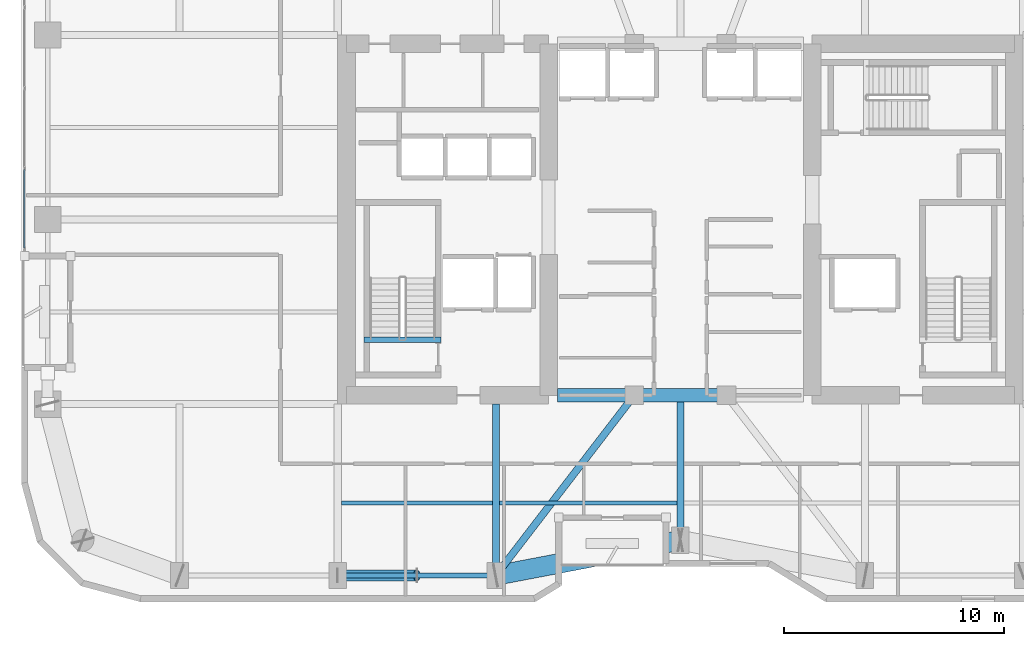
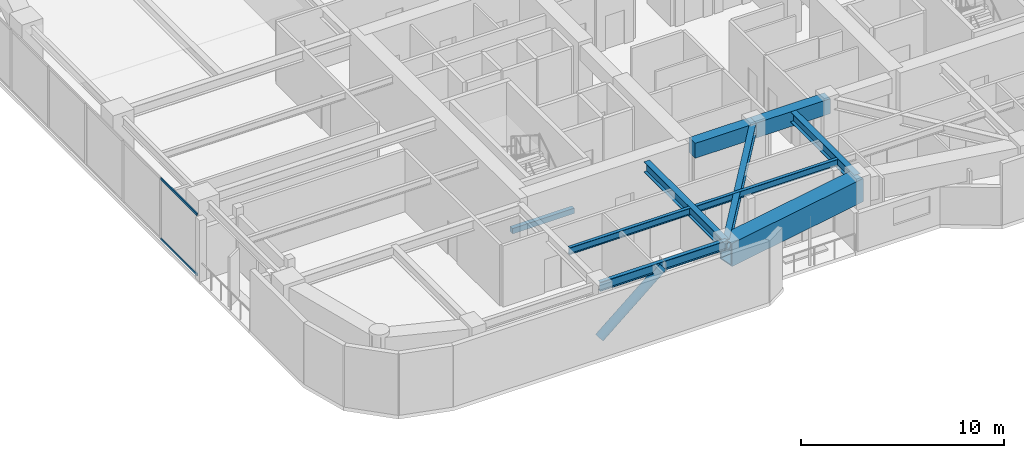
# One storey, part 3 of 30: 10 beams, 3 members, 1 element without a shape of its own.
"""IFC4 building model written with IfcOpenShell, lengths in metres."""

from ifc_helpers import new_model, si_unit, direction, frame, origin, origin_2d, place, context, subcontext, project, spatial, rectangle, hollow_rectangle, hollow_circle, i_section, extrude, material, layer, layer_set, material_profile, profile_set, type_object, element, aggregate, save


model = new_model("IFC4")

# Units and contexts
model_context = context("Model", 3, precision=1e-05, world=origin(), true_north=direction((0.0, 1.0)))
body_context = subcontext(model_context, "Body", "Model", "MODEL_VIEW")
ifc_project = project(units=[si_unit("LENGTHUNIT", "METRE"), si_unit("AREAUNIT", "SQUARE_METRE"), si_unit("VOLUMEUNIT", "CUBIC_METRE"), si_unit("PLANEANGLEUNIT", "RADIAN"), si_unit("MASSUNIT", "GRAM", prefix="KILO")], contexts=[model_context])

# Site, building, storey
site_placement = place(None, origin())
site = spatial("IfcSite", under=ifc_project, at=site_placement, CompositionType="ELEMENT")
building_placement = place(site_placement, origin())
building = spatial("IfcBuilding", under=site, at=building_placement, Name="Kiyonajd Concourse Tower", CompositionType="ELEMENT")
storey_placement = place(building_placement, frame((0.0, 0.0, 170.10009765625)))
storey = spatial("IfcBuildingStorey", under=building, at=storey_placement, Name="L43", CompositionType="ELEMENT", Elevation=170.10009765625)

# Beams
ifc_material_1 = material(Name="Concrete C60/75", Category="concrete")
ifc_material_profile_1 = material_profile(ifc_material_1, rectangle(XDim=0.60009765625, YDim=0.89990234375, at=origin_2d()), Name="RCBM-600x900")
ifc_profile_set_1 = profile_set([ifc_material_profile_1], Name="Concrete C60/75")
beam_type_1 = type_object("IfcBeamType", Name="BM-COUP-900", PredefinedType="LINTEL", material=ifc_profile_set_1)
beam_1_placement = place(storey_placement, frame((42.39990234375, 28.0, 3.22998046875), z_axis=(1.0, 0.0, 0.0), x_axis=(0.0, 1.0, 0.0)))
element("IfcBeam", 1, at=beam_1_placement, inside=storey, type_object=beam_type_1, Name="L43 Core Coupling Beam S1", PredefinedType="LINTEL", context=body_context, shape_type="SweptSolid", body=[
    extrude(rectangle(XDim=0.60009765625, YDim=0.89990234375, at=origin_2d()), origin(), (0.0, 0.0, 1.0), 3.5),
])
beam_2_placement = place(storey_placement, frame((45.89990234375, 28.0, 3.22998046875), z_axis=(1.0, 0.0, 0.0), x_axis=(0.0, 1.0, 0.0)))
element("IfcBeam", 2, at=beam_2_placement, inside=storey, type_object=beam_type_1, Name="L43 Core Coupling Beam S2", PredefinedType="LINTEL", context=body_context, shape_type="SweptSolid", body=[
    extrude(rectangle(XDim=0.60009765625, YDim=0.89990234375, at=origin_2d()), origin(), (0.0, 0.0, 1.0), 4.2001953125),
])
ifc_material_2 = material(Name="Steel ASTM A992 Grade 50", Category="steel")
ifc_material_profile_2 = material_profile(ifc_material_2, i_section(OverallWidth=0.180908203125, OverallDepth=0.4169921875, WebThickness=0.010986328125, FlangeThickness=0.018310546875, at=origin_2d()), Name="W410X85")
ifc_profile_set_2 = profile_set([ifc_material_profile_2], Name="Steel ASTM A992 Grade 50")
beam_type_2 = type_object("IfcBeamType", Name="BM-JST-410", PredefinedType="JOIST", material=ifc_profile_set_2)
beam_3_placement = place(storey_placement, frame((32.5634765625, 23.10009765625, 3.471435546875), z_axis=(1.0, 0.0, 0.0), x_axis=(0.0, 1.0, 0.0)))
element("IfcBeam", 3, at=beam_3_placement, inside=storey, type_object=beam_type_2, Name="L43 Secondary Floor Joist", PredefinedType="JOIST", context=body_context, shape_type="SweptSolid", body=[
    extrude(i_section(OverallWidth=0.180908203125, OverallDepth=0.4169921875, WebThickness=0.010986328125, FlangeThickness=0.018310546875, at=origin_2d()), origin(), (0.0, 0.0, 1.0), 6.873046875),
])
beam_4_placement = place(storey_placement, frame((39.763427734375, 23.10009765625, 3.471435546875), z_axis=(1.0, 0.0, 0.0), x_axis=(0.0, 1.0, 0.0)))
element("IfcBeam", 4, at=beam_4_placement, inside=storey, type_object=beam_type_2, Name="L43 Secondary Floor Joist", PredefinedType="JOIST", context=body_context, shape_type="SweptSolid", body=[
    extrude(i_section(OverallWidth=0.180908203125, OverallDepth=0.4169921875, WebThickness=0.010986328125, FlangeThickness=0.018310546875, at=origin_2d()), origin(), (0.0, 0.0, 1.0), 8.072998046875),
])
ifc_material_3 = material(Name="Concrete C50/60", Category="concrete")
ifc_material_profile_3 = material_profile(ifc_material_3, rectangle(XDim=0.239990234375, YDim=0.320068359375, at=origin_2d()), Name="RCBM-240x320")
ifc_profile_set_3 = profile_set([ifc_material_profile_3], Name="Concrete C50/60")
beam_type_3 = type_object("IfcBeamType", Name="BM-LNT-250", PredefinedType="LINTEL", material=ifc_profile_set_3)
beam_5_placement = place(storey_placement, frame((33.590087890625, 30.530029296875, -0.16015625), z_axis=(1.0, 0.0, 0.0), x_axis=(0.0, 1.0, 0.0)))
element("IfcBeam", 5, at=beam_5_placement, inside=storey, type_object=beam_type_3, Name="L43 Stair ST1 Threshold Support Beam", PredefinedType="LINTEL", context=body_context, shape_type="SweptSolid", body=[
    extrude(rectangle(XDim=0.239990234375, YDim=0.320068359375, at=origin_2d()), origin(), (0.0, 0.0, 1.0), 3.52001953125),
])
ifc_material_profile_4 = material_profile(ifc_material_2, i_section(OverallWidth=0.214111328125, OverallDepth=0.549072265625, WebThickness=0.0146484375, FlangeThickness=0.023681640625, at=origin_2d()), Name="W530X138")
ifc_profile_set_4 = profile_set([ifc_material_profile_4], Name="Steel ASTM A992 Grade 50")
beam_type_4 = type_object("IfcBeamType", Name="BM-SPAN-530A", PredefinedType="SPANDREL", material=ifc_profile_set_4)
beam_6_placement = place(storey_placement, frame((32.39990234375, 19.800048828125, 3.405517578125), z_axis=(1.0, 0.0, 0.0), x_axis=(0.0, 1.0, 0.0)))
element("IfcBeam", 6, at=beam_6_placement, inside=storey, type_object=beam_type_4, Name="L43 Perimeter Bundled Tube Spandrel", PredefinedType="SPANDREL", context=body_context, shape_type="SweptSolid", body=[
    extrude(i_section(OverallWidth=0.214111328125, OverallDepth=0.549072265625, WebThickness=0.0146484375, FlangeThickness=0.023681640625, at=origin_2d()), origin(), (0.0, 0.0, 1.0), 7.2001953125),
])
ifc_material_profile_5 = material_profile(ifc_material_2, i_section(OverallWidth=0.326904296875, OverallDepth=0.6220703125, WebThickness=0.015380859375, FlangeThickness=0.0244140625, at=origin_2d()), Name="W610X195")
ifc_profile_set_5 = profile_set([ifc_material_profile_5], Name="Steel ASTM A992 Grade 50")
beam_type_5 = type_object("IfcBeamType", Name="BM-TWR-610A", PredefinedType="BEAM", material=ifc_profile_set_5)
beam_7_placement = place(storey_placement, frame((39.60009765625, 19.800048828125, 3.368896484375), z_axis=(0.609233709922, 0.792990722956, 0.0), x_axis=(-0.792990722956, 0.609233709922, 0.0)))
element("IfcBeam", 7, at=beam_7_placement, inside=storey, type_object=beam_type_5, Name="L43 Core Tie Girder", PredefinedType="BEAM", context=body_context, shape_type="SweptSolid", body=[
    extrude(i_section(OverallWidth=0.326904296875, OverallDepth=0.6220703125, WebThickness=0.015380859375, FlangeThickness=0.0244140625, at=origin_2d()), origin(), (0.0, 0.0, 1.0), 10.340576171875),
])
beam_8_placement = place(storey_placement, frame((39.60009765625, 19.800048828125, 3.368896484375), z_axis=(0.0, 1.0, 0.0), x_axis=(-1.0, 0.0, 0.0)))
element("IfcBeam", 8, at=beam_8_placement, inside=storey, type_object=beam_type_5, Name="L43 South Lease Girder", PredefinedType="BEAM", context=body_context, shape_type="SweptSolid", body=[
    extrude(i_section(OverallWidth=0.326904296875, OverallDepth=0.6220703125, WebThickness=0.015380859375, FlangeThickness=0.0244140625, at=origin_2d()), origin(), (0.0, 0.0, 1.0), 7.800048828125),
])
beam_9_placement = place(storey_placement, frame((48.0, 21.39990234375, 3.368896484375), z_axis=(0.0, 1.0, 0.0), x_axis=(-1.0, 0.0, 0.0)))
element("IfcBeam", 9, at=beam_9_placement, inside=storey, type_object=beam_type_5, Name="L43 South Ribbon Girder", PredefinedType="BEAM", context=body_context, shape_type="SweptSolid", body=[
    extrude(i_section(OverallWidth=0.326904296875, OverallDepth=0.6220703125, WebThickness=0.015380859375, FlangeThickness=0.0244140625, at=origin_2d()), origin(), (0.0, 0.0, 1.0), 6.60009765625),
])
ifc_material_4 = material(Name="Steel ASTM A572 Grade 50", Category="steel")
ifc_material_profile_6 = material_profile(ifc_material_4, hollow_rectangle(XDim=0.89990234375, YDim=1.39990234375, WallThickness=0.070068359375, at=origin_2d()), Name="BOX-1400x900x70")
ifc_profile_set_6 = profile_set([ifc_material_profile_6], Name="Steel ASTM A572 Grade 50")
beam_type_6 = type_object("IfcBeamType", Name="BM-XFER-1400", PredefinedType="BEAM", material=ifc_profile_set_6)
beam_10_placement = place(storey_placement, frame((39.60009765625, 19.800048828125, 2.97998046875), z_axis=(0.982341315253, 0.187097675953, 0.0), x_axis=(-0.187097675953, 0.982341315253, 0.0)))
element("IfcBeam", 10, at=beam_10_placement, inside=storey, type_object=beam_type_6, Name="L43 Perimeter Bundled Tube Spandrel", PredefinedType="BEAM", context=body_context, shape_type="SweptSolid", body=[
    extrude(hollow_rectangle(XDim=0.89990234375, YDim=1.39990234375, WallThickness=0.070068359375, at=origin_2d()), origin(), (0.0, 0.0, 1.0), 8.55078125),
])

# Curtain wall, members
ifc_material_5 = material(Name="Thermally Broken Anodised Aluminium", Category="aluminium")
ifc_layer = layer(ifc_material_5, 0.179931640625)
ifc_layer_set = layer_set([ifc_layer], Name="Thermally Broken Anodised Aluminium")
curtain_wall_type = type_object("IfcCurtainWallType", Name="CW-SYS-03", PredefinedType="NOTDEFINED", material=ifc_layer_set)
curtain_wall_placement = place(storey_placement, origin())
curtain_wall = element("IfcCurtainWall", 11, at=curtain_wall_placement, inside=storey, type_object=curtain_wall_type, Name="L43 Unitised Curtain Wall CW3", PredefinedType="NOTDEFINED")
ifc_material_profile_7 = material_profile(ifc_material_5, hollow_rectangle(XDim=0.06494140625, YDim=0.139892578125, WallThickness=0.00390625, at=origin_2d()), Name="TRAN-65x140")
ifc_profile_set_7 = profile_set([ifc_material_profile_7], Name="Thermally Broken Anodised Aluminium")
member_type_1 = type_object("IfcMemberType", Name="MB-CW-TRAN1", PredefinedType="USERDEFINED", material=ifc_profile_set_7)
member_1_placement = place(storey_placement, frame((18.139892578125, 34.695068359375, 0.032470703125), z_axis=(0.0, 1.0, 0.0), x_axis=(-1.0, 0.0, 0.0)))
member_1 = element("IfcMember", 12, at=member_1_placement, type_object=member_type_1, Name="CW3 transom 1.1", ObjectType="TRANSOM", PredefinedType="USERDEFINED", context=body_context, shape_type="SweptSolid", body=[
    extrude(hollow_rectangle(XDim=0.06494140625, YDim=0.139892578125, WallThickness=0.00390625, at=origin_2d()), origin(), (0.0, 0.0, 1.0), 3.579345703125),
])
member_2_placement = place(storey_placement, frame((18.139892578125, 34.695068359375, 3.6474609375), z_axis=(0.0, 1.0, 0.0), x_axis=(-1.0, 0.0, 0.0)))
member_2 = element("IfcMember", 13, at=member_2_placement, type_object=member_type_1, Name="CW3 transom 1.2", ObjectType="TRANSOM", PredefinedType="USERDEFINED", context=body_context, shape_type="SweptSolid", body=[
    extrude(hollow_rectangle(XDim=0.06494140625, YDim=0.139892578125, WallThickness=0.00390625, at=origin_2d()), origin(), (0.0, 0.0, 1.0), 3.579345703125),
])
aggregate(curtain_wall, [member_1, member_2])

# Member
ifc_material_6 = material(Name="Steel ASTM A500 Grade C", Category="steel")
ifc_material_profile_8 = material_profile(ifc_material_6, hollow_circle(Radius=0.25390625, WallThickness=0.02197265625, at=origin_2d()), Name="CHS-508x22")
ifc_profile_set_8 = profile_set([ifc_material_profile_8], Name="Steel ASTM A500 Grade C")
member_type_2 = type_object("IfcMemberType", Name="MB-PB-MID", PredefinedType="BRACE", material=ifc_profile_set_8)
member_3_placement = place(storey_placement, frame((32.39990234375, 19.800048828125, 0.2998046875), z_axis=(0.765082043761, 0.0, 0.643932811957), x_axis=(0.0, 1.0, 0.0)))
element("IfcMember", 14, at=member_3_placement, inside=storey, type_object=member_type_2, Name="L43 Upper Zone Hollow Tube Brace PBS", PredefinedType="BRACE", context=body_context, shape_type="SweptSolid", body=[
    extrude(hollow_circle(Radius=0.25390625, WallThickness=0.02197265625, at=origin_2d()), origin(), (0.0, 0.0, 1.0), 4.70556640625),
])

save(model, "model.ifc")
